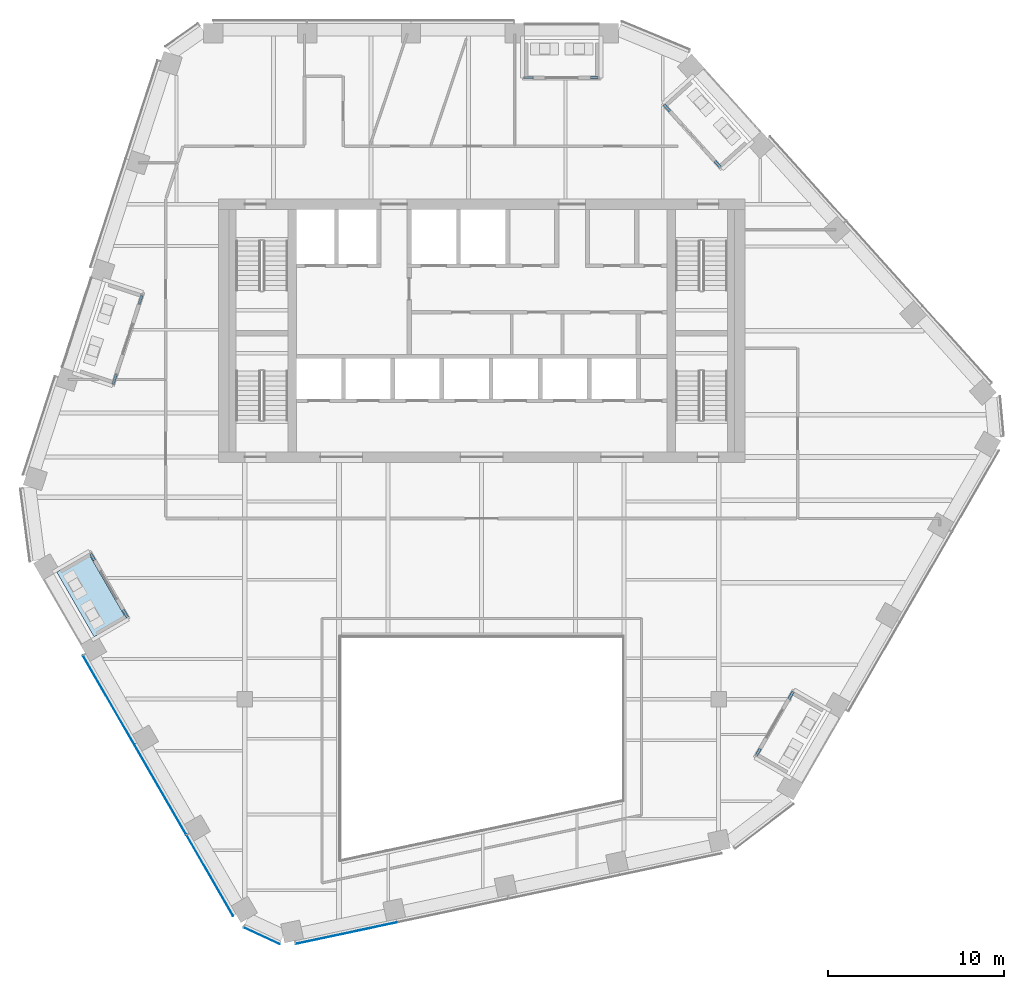
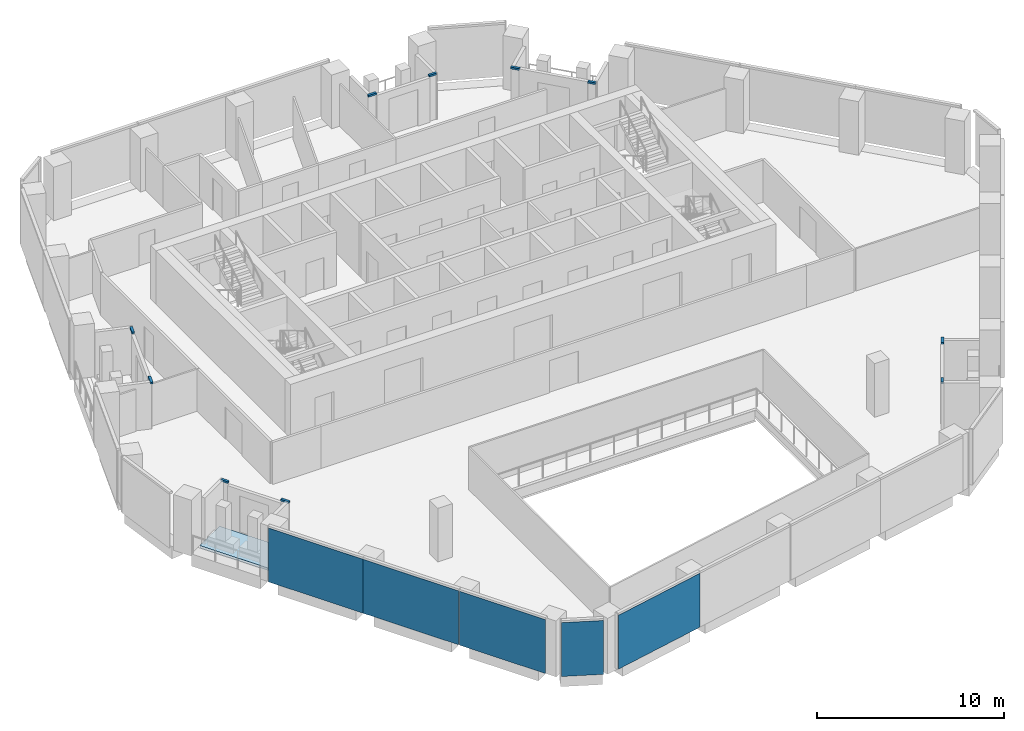
# One storey, part 9 of 24: 10 members, 5 plates, 1 slab, 8 elements without a shape of their own.
"""IFC4 building model written with IfcOpenShell, lengths in metres."""

from ifc_helpers import new_model, si_unit, direction, frame, origin, origin_2d, place, context, subcontext, project, spatial, polyline, rectangle, outline, extrude, material, layer, layer_set, material_profile, profile_set, type_object, element, aggregate, save


model = new_model("IFC4")

# Units and contexts
model_context = context("Model", 3, precision=1e-05, world=origin(), true_north=direction((0.0, 1.0)))
body_context = subcontext(model_context, "Body", "Model", "MODEL_VIEW")
ifc_project = project(units=[si_unit("LENGTHUNIT", "METRE"), si_unit("AREAUNIT", "SQUARE_METRE"), si_unit("VOLUMEUNIT", "CUBIC_METRE"), si_unit("PLANEANGLEUNIT", "RADIAN"), si_unit("MASSUNIT", "GRAM", prefix="KILO")], contexts=[model_context])

# Site, building, storey
site_placement = place(None, origin())
site = spatial("IfcSite", under=ifc_project, at=site_placement, CompositionType="ELEMENT")
building_placement = place(site_placement, origin())
building = spatial("IfcBuilding", under=site, at=building_placement, Name="Isthmus Gate Tower", CompositionType="ELEMENT")
storey_placement = place(building_placement, frame((0.0, 0.0, 219.949951171875)))
storey = spatial("IfcBuildingStorey", under=building, at=storey_placement, Name="L55", CompositionType="ELEMENT", Elevation=219.949951171875)

# Curtain wall, members
ifc_material_1 = material(Name="Aluminium, pale champagne anodised", Category="aluminium")
ifc_layer_1 = layer(ifc_material_1, 0.14990234375)
ifc_layer_set_1 = layer_set([ifc_layer_1], Name="CW-6 LOGGIA BACK WALL GLAZING 150 DEEP")
curtain_wall_type_1 = type_object("IfcCurtainWallType", Name="CW-6 LOGGIA BACK WALL GLAZING 150 DEEP", PredefinedType="NOTDEFINED", material=ifc_layer_set_1)
curtain_wall_1_placement = place(storey_placement, origin())
curtain_wall_1 = element("IfcCurtainWall", 1, at=curtain_wall_1_placement, inside=storey, type_object=curtain_wall_type_1, Name="CW-6 N L55", PredefinedType="NOTDEFINED")
ifc_material_2 = material(Name="Aluminium, pale champagne anodised", Category="aluminium")
ifc_material_profile = material_profile(ifc_material_2, rectangle(XDim=0.14990234375, YDim=0.1201171875, at=origin_2d()), Name="150x120")
ifc_profile_set = profile_set([ifc_material_profile], Name="Aluminium, pale champagne anodised")
member_type = type_object("IfcMemberType", Name="CW-6 TRANSOM 150 X 120", PredefinedType="USERDEFINED", material=ifc_profile_set)
member_1_placement = place(storey_placement, frame((6.631103515625, 21.89990234375, 2.989990234375), z_axis=(-1.0, 0.0, 0.0), x_axis=(0.0, -1.0, 0.0)))
member_1 = element("IfcMember", 2, at=member_1_placement, type_object=member_type, Name="CW-6 transom", ObjectType="TRANSOM", PredefinedType="USERDEFINED", context=body_context, shape_type="SweptSolid", body=[
    extrude(rectangle(XDim=0.14990234375, YDim=0.1201171875, at=origin_2d()), origin(), (0.0, 0.0, 1.0), 0.43994140625),
])
member_2_placement = place(storey_placement, frame((2.930419921875, 21.89990234375, 2.989990234375), z_axis=(-1.0, 0.0, 0.0), x_axis=(0.0, -1.0, 0.0)))
member_2 = element("IfcMember", 3, at=member_2_placement, type_object=member_type, Name="CW-6 transom", ObjectType="TRANSOM", PredefinedType="USERDEFINED", context=body_context, shape_type="SweptSolid", body=[
    extrude(rectangle(XDim=0.14990234375, YDim=0.1201171875, at=origin_2d()), origin(), (0.0, 0.0, 1.0), 0.5),
])
aggregate(curtain_wall_1, [member_1, member_2])

curtain_wall_2_placement = place(storey_placement, origin())
curtain_wall_2 = element("IfcCurtainWall", 4, at=curtain_wall_2_placement, inside=storey, type_object=curtain_wall_type_1, Name="CW-6 NW L55", PredefinedType="NOTDEFINED")
member_3_placement = place(storey_placement, frame((-19.356689453125, 9.528564453125, 2.989990234375), z_axis=(-0.308838863498, -0.951114376084, 0.0), x_axis=(0.951114376084, -0.308838863498, 0.0)))
member_3 = element("IfcMember", 5, at=member_3_placement, type_object=member_type, Name="CW-6 transom", ObjectType="TRANSOM", PredefinedType="USERDEFINED", context=body_context, shape_type="SweptSolid", body=[
    extrude(rectangle(XDim=0.14990234375, YDim=0.1201171875, at=origin_2d()), origin(), (0.0, 0.0, 1.0), 0.535888671875),
])
member_4_placement = place(storey_placement, frame((-20.820068359375, 5.0244140625, 2.989990234375), z_axis=(-0.308845252112, -0.951112301596, 0.0), x_axis=(0.951112301596, -0.308845252112, 0.0)))
member_4 = element("IfcMember", 6, at=member_4_placement, type_object=member_type, Name="CW-6 transom", ObjectType="TRANSOM", PredefinedType="USERDEFINED", context=body_context, shape_type="SweptSolid", body=[
    extrude(rectangle(XDim=0.14990234375, YDim=0.1201171875, at=origin_2d()), origin(), (0.0, 0.0, 1.0), 0.595947265625),
])
aggregate(curtain_wall_2, [member_3, member_4])

curtain_wall_3_placement = place(storey_placement, origin())
curtain_wall_3 = element("IfcCurtainWall", 7, at=curtain_wall_3_placement, inside=storey, type_object=curtain_wall_type_1, Name="CW-6 SW L55", PredefinedType="NOTDEFINED")
member_5_placement = place(storey_placement, frame((-22.281494140625, -5.207275390625, 2.989990234375), z_axis=(0.499898558967, -0.866083962871, 0.0), x_axis=(0.866083962871, 0.499898558967, 0.0)))
member_5 = element("IfcMember", 8, at=member_5_placement, type_object=member_type, Name="CW-6 transom", ObjectType="TRANSOM", PredefinedType="USERDEFINED", context=body_context, shape_type="SweptSolid", body=[
    extrude(rectangle(XDim=0.14990234375, YDim=0.1201171875, at=origin_2d()), origin(), (0.0, 0.0, 1.0), 0.43994140625),
])
member_6_placement = place(storey_placement, frame((-20.43115234375, -8.412109375, 2.989990234375), z_axis=(0.499919672301, -0.866071776036, 0.0), x_axis=(0.866071776036, 0.499919672301, 0.0)))
member_6 = element("IfcMember", 9, at=member_6_placement, type_object=member_type, Name="CW-6 transom", ObjectType="TRANSOM", PredefinedType="USERDEFINED", context=body_context, shape_type="SweptSolid", body=[
    extrude(rectangle(XDim=0.14990234375, YDim=0.1201171875, at=origin_2d()), origin(), (0.0, 0.0, 1.0), 0.5),
])
aggregate(curtain_wall_3, [member_5, member_6])

curtain_wall_4_placement = place(storey_placement, origin())
curtain_wall_4 = element("IfcCurtainWall", 10, at=curtain_wall_4_placement, inside=storey, type_object=curtain_wall_type_1, Name="CW-6 SE L55", PredefinedType="NOTDEFINED")
member_7_placement = place(storey_placement, frame((15.650390625, -16.692626953125, 2.989990234375), z_axis=(0.499898558967, 0.866083962871, 0.0), x_axis=(-0.866083962871, 0.499898558967, 0.0)))
member_7 = element("IfcMember", 11, at=member_7_placement, type_object=member_type, Name="CW-6 transom", ObjectType="TRANSOM", PredefinedType="USERDEFINED", context=body_context, shape_type="SweptSolid", body=[
    extrude(rectangle(XDim=0.14990234375, YDim=0.1201171875, at=origin_2d()), origin(), (0.0, 0.0, 1.0), 0.43994140625),
])
member_8_placement = place(storey_placement, frame((17.500732421875, -13.48779296875, 2.989990234375), z_axis=(0.500131122175, 0.865949687125, 0.0), x_axis=(-0.865949687125, 0.500131122175, 0.0)))
member_8 = element("IfcMember", 12, at=member_8_placement, type_object=member_type, Name="CW-6 transom", ObjectType="TRANSOM", PredefinedType="USERDEFINED", context=body_context, shape_type="SweptSolid", body=[
    extrude(rectangle(XDim=0.14990234375, YDim=0.1201171875, at=origin_2d()), origin(), (0.0, 0.0, 1.0), 0.499755859375),
])
aggregate(curtain_wall_4, [member_7, member_8])

curtain_wall_5_placement = place(storey_placement, origin())
curtain_wall_5 = element("IfcCurtainWall", 13, at=curtain_wall_5_placement, inside=storey, type_object=curtain_wall_type_1, Name="CW-6 NE L55", PredefinedType="NOTDEFINED")
member_9_placement = place(storey_placement, frame((13.58642578125, 16.823486328125, 2.989990234375), z_axis=(-0.669240615525, 0.743045758033, 0.0), x_axis=(-0.743045758033, -0.669240615525, 0.0)))
member_9 = element("IfcMember", 14, at=member_9_placement, type_object=member_type, Name="CW-6 transom", ObjectType="TRANSOM", PredefinedType="USERDEFINED", context=body_context, shape_type="SweptSolid", body=[
    extrude(rectangle(XDim=0.14990234375, YDim=0.1201171875, at=origin_2d()), origin(), (0.0, 0.0, 1.0), 0.43994140625),
])
member_10_placement = place(storey_placement, frame((10.72119140625, 20.00537109375, 2.989990234375), z_axis=(-0.669018689507, 0.743245580606, 0.0), x_axis=(-0.743245580606, -0.669018689507, 0.0)))
member_10 = element("IfcMember", 15, at=member_10_placement, type_object=member_type, Name="CW-6 transom", ObjectType="TRANSOM", PredefinedType="USERDEFINED", context=body_context, shape_type="SweptSolid", body=[
    extrude(rectangle(XDim=0.14990234375, YDim=0.1201171875, at=origin_2d()), origin(), (0.0, 0.0, 1.0), 0.5),
])
aggregate(curtain_wall_5, [member_9, member_10])

# Curtain wall, plates
ifc_material_3 = material(Name="Aluminium, pale champagne anodised", Category="aluminium")
ifc_layer_2 = layer(ifc_material_3, 0.199951171875)
ifc_layer_set_2 = layer_set([ifc_layer_2], Name="CW-1 UNITISED CURTAIN WALL 200 DEEP")
curtain_wall_type_2 = type_object("IfcCurtainWallType", Name="CW-1 UNITISED CURTAIN WALL 200 DEEP", PredefinedType="NOTDEFINED", material=ifc_layer_set_2)
curtain_wall_6_placement = place(storey_placement, origin())
curtain_wall_6 = element("IfcCurtainWall", 16, at=curtain_wall_6_placement, inside=storey, type_object=curtain_wall_type_2, Name="CW-1 SW L55", PredefinedType="NOTDEFINED")
ifc_material_4 = material(Name="Laminated low-iron glass, pale blue tint", Category="glass")
ifc_layer_3 = layer(ifc_material_4, 0.031982421875)
ifc_layer_set_3 = layer_set([ifc_layer_3], Name="CW-1 CLEAR GLASS LITE 32")
plate_type = type_object("IfcPlateType", Name="CW-1 CLEAR GLASS LITE 32", PredefinedType="CURTAIN_PANEL", material=ifc_layer_set_3)
plate_1_placement = place(storey_placement, frame((-21.257568359375, -13.548828125, 0.0), z_axis=(0.0, 0.0, 1.0), x_axis=(0.5, -0.866025403784, 0.0)))
plate_1 = element("IfcPlate", 17, at=plate_1_placement, type_object=plate_type, Name="CW-1 glass lite", PredefinedType="CURTAIN_PANEL", context=body_context, shape_type="SweptSolid", body=[
    extrude(rectangle(XDim=5.8505859375, YDim=0.031982421875, at=origin_2d()), origin(), (0.0, 0.0, 1.0), 3.52001953125),
])
plate_2_placement = place(storey_placement, frame((-18.3173828125, -18.6416015625, 0.0), z_axis=(0.0, 0.0, 1.0), x_axis=(0.5, -0.866025403784, 0.0)))
plate_2 = element("IfcPlate", 18, at=plate_2_placement, type_object=plate_type, Name="CW-1 glass lite", PredefinedType="CURTAIN_PANEL", context=body_context, shape_type="SweptSolid", body=[
    extrude(rectangle(XDim=5.91064453125, YDim=0.031982421875, at=origin_2d()), origin(), (0.0, 0.0, 1.0), 3.52001953125),
])
plate_3_placement = place(storey_placement, frame((-15.484375, -23.548095703125, 0.0), z_axis=(0.0, 0.0, 1.0), x_axis=(0.5, -0.866025403784, 0.0)))
plate_3 = element("IfcPlate", 19, at=plate_3_placement, type_object=plate_type, Name="CW-1 glass lite", PredefinedType="CURTAIN_PANEL", context=body_context, shape_type="SweptSolid", body=[
    extrude(rectangle(XDim=5.300537109375, YDim=0.031982421875, at=origin_2d()), origin(), (0.0, 0.0, 1.0), 3.52001953125),
])
aggregate(curtain_wall_6, [plate_1, plate_2, plate_3])

# Curtain wall, plate
curtain_wall_7_placement = place(storey_placement, origin())
curtain_wall_7 = element("IfcCurtainWall", 20, at=curtain_wall_7_placement, inside=storey, type_object=curtain_wall_type_2, Name="CW-1 SW-S L55", PredefinedType="NOTDEFINED")
plate_4_placement = place(storey_placement, frame((-12.531982421875, -26.9833984375, 0.0), z_axis=(0.0, 0.0, 1.0), x_axis=(0.907256261367, -0.420578264073, 0.0)))
plate_4 = element("IfcPlate", 21, at=plate_4_placement, type_object=plate_type, Name="CW-1 glass lite", PredefinedType="CURTAIN_PANEL", context=body_context, shape_type="SweptSolid", body=[
    extrude(rectangle(XDim=2.258544921875, YDim=0.031982421875, at=origin_2d()), origin(), (0.0, 0.0, 1.0), 3.52001953125),
])
aggregate(curtain_wall_7, [plate_4])

curtain_wall_8_placement = place(storey_placement, origin())
curtain_wall_8 = element("IfcCurtainWall", 22, at=curtain_wall_8_placement, inside=storey, type_object=curtain_wall_type_2, Name="CW-1 S L55", PredefinedType="NOTDEFINED")
plate_5_placement = place(storey_placement, frame((-7.71435546875, -26.827880859375, 0.0), z_axis=(0.0, 0.0, 1.0), x_axis=(0.978147600734, 0.207911690818, 0.0)))
plate_5 = element("IfcPlate", 23, at=plate_5_placement, type_object=plate_type, Name="CW-1 glass lite", PredefinedType="CURTAIN_PANEL", context=body_context, shape_type="SweptSolid", body=[
    extrude(rectangle(XDim=5.8818359375, YDim=0.031982421875, at=origin_2d()), origin(), (0.0, 0.0, 1.0), 3.52001953125),
])
aggregate(curtain_wall_8, [plate_5])

# Slab
ifc_material_5 = material(Name="Concrete f'c 50 MPa", Category="concrete")
ifc_layer_4 = layer(ifc_material_5, 0.14990234375)
ifc_layer_set_4 = layer_set([ifc_layer_4], Name="LOGGIA FLOOR SLAB 150")
slab_type = type_object("IfcSlabType", Name="LOGGIA FLOOR SLAB 150", PredefinedType="FLOOR", material=ifc_layer_set_4)
slab_placement = place(storey_placement, frame((0.0, 0.0, -0.14990234375)))
element("IfcSlab", 24, at=slab_placement, inside=storey, type_object=slab_type, Name="LOGGIA FLOOR", PredefinedType="FLOOR", context=body_context, shape_type="SweptSolid", body=[
    extrude(outline(polyline([(-24.216796875, -6.25537109375), (-22.08642578125, -9.945068359375), (-20.267822265625, -8.89501953125), (-22.398193359375, -5.205322265625), (-24.216796875, -6.25537109375)])), origin(), (0.0, 0.0, 1.0), 0.14990234375),
])

save(model, "model.ifc")
